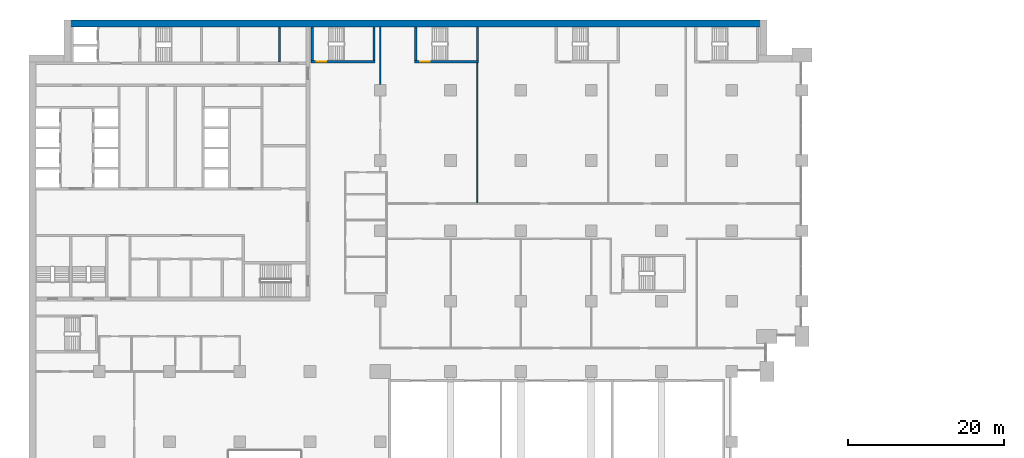
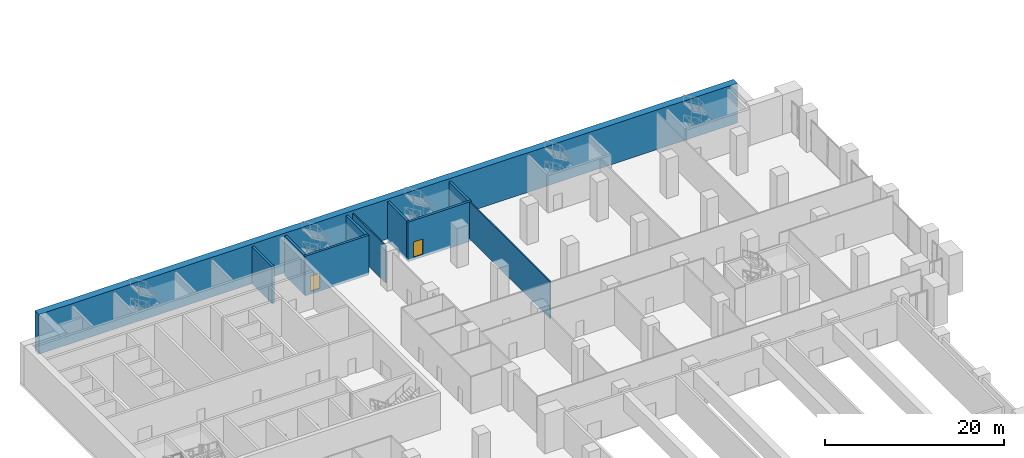
# One storey, part 20 of 43: 10 walls, 2 doors, 2 openings.
"""IFC4 building model written with IfcOpenShell, lengths in metres."""

from ifc_helpers import new_model, si_unit, direction, frame, frame_2d, origin, place, context, subcontext, project, spatial, rectangle, extrude, material, layer, layer_set, type_object, element, fill, save


model = new_model("IFC4")

# Units and contexts
model_context = context("Model", 3, precision=1e-05, world=origin(), true_north=direction((0.0, 1.0)))
body_context = subcontext(model_context, "Body", "Model", "MODEL_VIEW")
ifc_project = project(units=[si_unit("LENGTHUNIT", "METRE"), si_unit("AREAUNIT", "SQUARE_METRE"), si_unit("VOLUMEUNIT", "CUBIC_METRE"), si_unit("PLANEANGLEUNIT", "RADIAN"), si_unit("MASSUNIT", "GRAM", prefix="KILO")], contexts=[model_context])

# Site, building, storey
site_placement = place(None, origin())
site = spatial("IfcSite", under=ifc_project, at=site_placement, CompositionType="ELEMENT")
building_placement = place(site_placement, origin())
building = spatial("IfcBuilding", under=site, at=building_placement, Name="Hunhe Ridgeline Campus", CompositionType="ELEMENT")
storey_placement = place(building_placement, frame((0.0, 0.0, 11.39990234375)))
storey = spatial("IfcBuildingStorey", under=building, at=storey_placement, Name="L02", CompositionType="ELEMENT", Elevation=11.39990234375)

# Walls
ifc_material_1 = material(Name="Plastered blockwork", Category="masonry")
ifc_layer_1 = layer(ifc_material_1, 0.14990234375)
ifc_layer_set_1 = layer_set([ifc_layer_1], Name="Blockwork partition 150")
wall_type_1 = type_object("IfcWallType", Name="Blockwork partition 150", PredefinedType="PARTITIONING", material=ifc_layer_set_1)
wall_1_placement = place(storey_placement, frame((45.0, 90.75, 0.0), z_axis=(0.0, 0.0, 1.0), x_axis=(0.0, 1.0, 0.0)))
element("IfcWall", 1, at=wall_1_placement, inside=storey, type_object=wall_type_1, Name="L02 partition", PredefinedType="PARTITIONING", context=body_context, shape_type="SweptSolid", body=[
    extrude(rectangle(XDim=7.35009765625, YDim=0.14990234375, at=frame_2d((3.675048828125, 0.0))), origin(), (0.0, 0.0, 1.0), 5.050048828125),
])
wall_2_placement = place(storey_placement, frame((57.4140625, 75.574951171875, 0.0), z_axis=(0.0, 0.0, 1.0), x_axis=(0.0, 1.0, 0.0)))
element("IfcWall", 2, at=wall_2_placement, inside=storey, type_object=wall_type_1, Name="L02 partition", PredefinedType="PARTITIONING", context=body_context, shape_type="SweptSolid", body=[
    extrude(rectangle(XDim=17.925048828125, YDim=0.14990234375, at=frame_2d((8.96240234375, 0.0))), origin(), (0.0, 0.0, 1.0), 5.050048828125),
])
ifc_material_2 = material(Name="Masonry concrete blockwork", Category="masonry")
ifc_layer_2 = layer(ifc_material_2, 0.300048828125)
ifc_layer_set_2 = layer_set([ifc_layer_2], Name="Core room partition 300 concrete block")
wall_type_2 = type_object("IfcWallType", Name="Core room partition 300 concrete block", PredefinedType="PARTITIONING", material=ifc_layer_set_2)
wall_3_placement = place(storey_placement, frame((32.10009765625, 93.60009765625, 0.0), z_axis=(0.0, 0.0, 1.0), x_axis=(0.0, 1.0, 0.0)))
element("IfcWall", 3, at=wall_3_placement, inside=storey, type_object=wall_type_2, Name="L02 core partition 63", PredefinedType="PARTITIONING", context=body_context, shape_type="SweptSolid", body=[
    extrude(rectangle(XDim=4.5, YDim=0.300048828125, at=frame_2d((2.25, 0.0))), origin(), (0.0, 0.0, 1.0), 5.050048828125),
])
ifc_material_3 = material(Name="Concrete C80", Category="concrete")
ifc_layer_3 = layer(ifc_material_3, 0.89990234375)
ifc_layer_set_3 = layer_set([ifc_layer_3], Name="Spine wall 900 Concrete C80")
wall_type_3 = type_object("IfcWallType", Name="Spine wall 900 Concrete C80", PredefinedType="SHEAR", material=ifc_layer_set_3)
wall_4_placement = place(storey_placement, frame((94.5, 98.550048828125, 0.0), z_axis=(0.0, 0.0, 1.0), x_axis=(-1.0, 0.0, 0.0)))
element("IfcWall", 4, at=wall_4_placement, inside=storey, type_object=wall_type_3, Name="Spine wall SW1-4 L02", PredefinedType="SHEAR", context=body_context, shape_type="SweptSolid", body=[
    extrude(rectangle(XDim=90.0, YDim=0.89990234375, at=frame_2d((45.0, 0.0))), origin(), (0.0, 0.0, 1.0), 5.400146484375),
])

# Wall, opening, door
ifc_layer_4 = layer(ifc_material_3, 0.300048828125)
ifc_layer_set_4 = layer_set([ifc_layer_4], Name="Stair wall 300 reinforced concrete C80")
wall_type_4 = type_object("IfcWallType", Name="Stair wall 300 reinforced concrete C80", PredefinedType="SOLIDWALL", material=ifc_layer_set_4)
wall_5_placement = place(storey_placement, frame((36.14990234375, 93.64990234375, -0.349853515625), z_axis=(0.0, 0.0, 1.0), x_axis=(1.0, 0.0, 0.0)))
wall_5 = element("IfcWall", 5, at=wall_5_placement, inside=storey, type_object=wall_type_4, Name="L02 core wall 30", PredefinedType="SOLIDWALL", context=body_context, shape_type="SweptSolid", body=[
    extrude(rectangle(XDim=8.2001953125, YDim=0.300048828125, at=frame_2d((4.10009765625, 0.0))), origin(), (0.0, 0.0, 1.0), 5.39990234375),
])
opening_1_placement = place(wall_5_placement, frame((0.699951171875, 0.0, 0.35009765625)))
opening_1 = element("IfcOpeningElement", 6, at=opening_1_placement, cuts=wall_5, Name="Opening CD17", PredefinedType="OPENING", context=body_context, shape_type="SweptSolid", body=[
    extrude(rectangle(XDim=1.199951171875, YDim=2.10009765625, at=frame_2d((0.60009765625, 1.050048828125))), frame((0.0, 0.14990234375, 0.0), z_axis=(0.0, -1.0, 0.0), x_axis=(1.0, 0.0, 0.0)), (0.0, 0.0, 1.0), 0.300048828125),
])
ifc_material_4 = material(Name="Hollow metal fire door leaf")
door_type = type_object("IfcDoorType", Name="Stair door 1200x2100 FD60", OperationType="SINGLE_SWING_LEFT", PredefinedType="DOOR", material=ifc_material_4)
door_1_placement = place(opening_1_placement, frame((1.199951171875, 0.0, 0.0), z_axis=(0.0, 0.0, 1.0), x_axis=(-1.0, 0.0, 0.0)))
door_1 = element("IfcDoor", 7, at=door_1_placement, inside=storey, type_object=door_type, Name="L02 door E1", OperationType="SINGLE_SWING_RIGHT", OverallHeight=2.10009765625, OverallWidth=1.199951171875, PredefinedType="DOOR", context=body_context, shape_type="SweptSolid", body=[
    extrude(rectangle(XDim=1.199951171875, YDim=2.10009765625, at=frame_2d((0.60009765625, 1.050048828125))), frame((0.0, 0.02490234375, 0.0), z_axis=(0.0, -1.0, 0.0), x_axis=(1.0, 0.0, 0.0)), (0.0, 0.0, 1.0), 0.050048828125),
])
fill(opening_1, door_1)

wall_6_placement = place(storey_placement, frame((49.39990234375, 93.64990234375, -0.349853515625), z_axis=(0.0, 0.0, 1.0), x_axis=(1.0, 0.0, 0.0)))
wall_6 = element("IfcWall", 8, at=wall_6_placement, inside=storey, type_object=wall_type_4, Name="L02 core wall 31", PredefinedType="SOLIDWALL", context=body_context, shape_type="SweptSolid", body=[
    extrude(rectangle(XDim=8.2001953125, YDim=0.300048828125, at=frame_2d((4.10009765625, 0.0))), origin(), (0.0, 0.0, 1.0), 5.39990234375),
])
opening_2_placement = place(wall_6_placement, frame((0.699951171875, 0.0, 0.35009765625)))
opening_2 = element("IfcOpeningElement", 9, at=opening_2_placement, cuts=wall_6, Name="Opening CD18", PredefinedType="OPENING", context=body_context, shape_type="SweptSolid", body=[
    extrude(rectangle(XDim=1.199951171875, YDim=2.10009765625, at=frame_2d((0.60009765625, 1.050048828125))), frame((0.0, 0.14990234375, 0.0), z_axis=(0.0, -1.0, 0.0), x_axis=(1.0, 0.0, 0.0)), (0.0, 0.0, 1.0), 0.300048828125),
])
door_2_placement = place(opening_2_placement, frame((1.199951171875, 0.0, 0.0), z_axis=(0.0, 0.0, 1.0), x_axis=(-1.0, 0.0, 0.0)))
door_2 = element("IfcDoor", 10, at=door_2_placement, inside=storey, type_object=door_type, Name="L02 door E2", OperationType="SINGLE_SWING_LEFT", OverallHeight=2.10009765625, OverallWidth=1.199951171875, PredefinedType="DOOR", context=body_context, shape_type="SweptSolid", body=[
    extrude(rectangle(XDim=1.199951171875, YDim=2.10009765625, at=frame_2d((0.60009765625, 1.050048828125))), frame((0.0, 0.02490234375, 0.0), z_axis=(0.0, -1.0, 0.0), x_axis=(1.0, 0.0, 0.0)), (0.0, 0.0, 1.0), 0.050048828125),
])
fill(opening_2, door_2)

# Walls
for number, where, z_axis, x_axis, name in (
    (11, (36.300048828125, 93.800048828125, -0.349853515625), (0.0, 0.0, 1.0), (0.0, 1.0, 0.0), "L02 core wall 65"),
    (12, (44.199951171875, 93.800048828125, -0.349853515625), (0.0, 0.0, 1.0), (0.0, 1.0, 0.0), "L02 core wall 66"),
    (13, (49.550048828125, 93.800048828125, -0.349853515625), (0.0, 0.0, 1.0), (0.0, 1.0, 0.0), "L02 core wall 67"),
    (14, (57.449951171875, 93.800048828125, -0.349853515625), (0.0, 0.0, 1.0), (0.0, 1.0, 0.0), "L02 core wall 68"),
):
    element("IfcWall", number, at=place(storey_placement, frame(where, z_axis=z_axis, x_axis=x_axis)), inside=storey, type_object=wall_type_4, Name=name, PredefinedType="SOLIDWALL", context=body_context, shape_type="SweptSolid", body=[
        extrude(rectangle(XDim=4.300048828125, YDim=0.300048828125, at=frame_2d((2.14990234375, 0.0))), origin(), (0.0, 0.0, 1.0), 5.39990234375),
    ])

save(model, "model.ifc")
